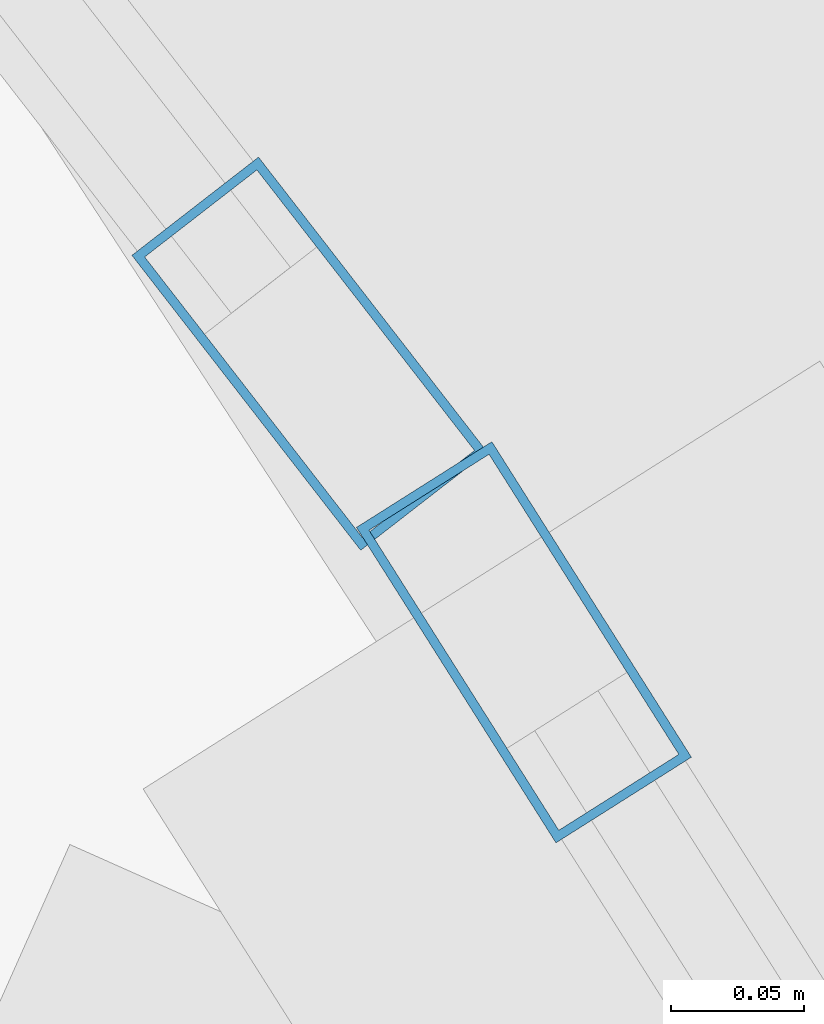
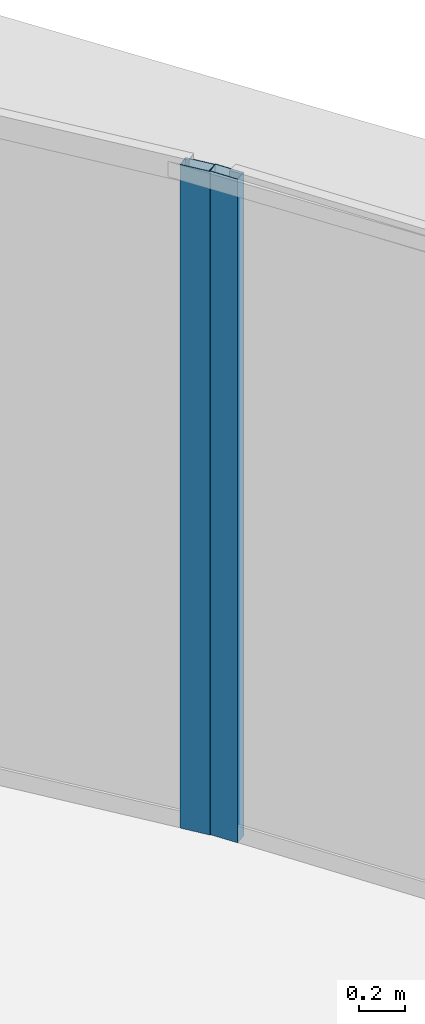
# One storey, part 24 of 33: 2 members, 2 elements without a shape of their own.
"""IFC4 building model written with IfcOpenShell, lengths in metres."""

import ifcopenshell
import ifcopenshell.guid

model = None  # the IFC model being written
_history = None  # IfcOwnerHistory: only IFC2X3 demands one
_inside = {}  # id of a spatial element -> (the spatial element, [elements in it])
_under = {}  # id of a project, library or spatial element -> (it, [spatial elements below it])
_declared = {}  # id of a project -> (the project, [libraries it declares])
_typed = {}  # id of a type object -> (the type object, [elements of that type])
_made_of = {}  # id of a material, layer set ... -> (it, [elements and type objects made of it])


def new_model(schema):
    """Start an empty IFC model of exactly this schema.

    Asked for "IFC4X3", IfcOpenShell would pick the latest addendum, in which some entities
    have other attributes; the version numbers below select the first issue.
    IFC2X3 requires an IfcOwnerHistory on every rooted entity: one is made here for all.
    """
    global model, _history
    if schema == "IFC4X3":
        model = ifcopenshell.file(schema_version=(4, 3, 0, 0))
    else:
        model = ifcopenshell.file(schema=schema)
    _inside.clear()
    _under.clear()
    _declared.clear()
    _typed.clear()
    _made_of.clear()
    _history = None
    if model.schema == "IFC2X3":
        org = make("IfcOrganization", Name="unknown")
        user = make(
            "IfcPersonAndOrganization",
            ThePerson=make("IfcPerson", FamilyName="unknown"),
            TheOrganization=org,
        )
        app = make(
            "IfcApplication",
            ApplicationDeveloper=org,
            Version="unknown",
            ApplicationFullName="unknown",
            ApplicationIdentifier="unknown",
        )
        _history = make(
            "IfcOwnerHistory",
            OwningUser=user,
            OwningApplication=app,
            ChangeAction="ADDED",
            CreationDate=0,
        )
    return model


def make(cls, **values):
    """One entity of the class cls with the attributes given. An attribute that is None is left unset."""
    return model.create_entity(
        cls, **{name: value for name, value in values.items() if value is not None}
    )


def rooted(cls, **values):
    """An entity with a GlobalId (a new one), such as an element, a storey or a relation."""
    return make(cls, GlobalId=ifcopenshell.guid.new(), OwnerHistory=_history, **values)


def si_unit(unit_type, name, prefix=None):
    """IfcSIUnit, for example si_unit("LENGTHUNIT", "METRE", prefix="MILLI")."""
    return make("IfcSIUnit", UnitType=unit_type, Prefix=prefix, Name=name)


def assignment(units):
    """IfcUnitAssignment: the units of a project."""
    return None if units is None else make("IfcUnitAssignment", Units=units)


def point(xyz):
    """IfcCartesianPoint."""
    return None if xyz is None else make("IfcCartesianPoint", Coordinates=xyz)


def direction(xyz):
    """IfcDirection."""
    return None if xyz is None else make("IfcDirection", DirectionRatios=xyz)


def frame(location, z_axis=None, x_axis=None):
    """IfcAxis2Placement3D, a coordinate frame: its origin and axes. An axis left out is left unset."""
    return make(
        "IfcAxis2Placement3D",
        Location=point(location),
        Axis=direction(z_axis),
        RefDirection=direction(x_axis),
    )


def frame_2d(location, x_axis=None):
    """IfcAxis2Placement2D, a coordinate frame in the plane: its origin and x axis."""
    return make(
        "IfcAxis2Placement2D", Location=point(location), RefDirection=direction(x_axis)
    )


def origin():
    """The frame at (0, 0, 0) with its axes left unset."""
    return frame((0.0, 0.0, 0.0))


def origin_2d():
    """The frame at (0, 0) in the plane with its x axis left unset."""
    return frame_2d((0.0, 0.0))


def place(relative_to, where):
    """IfcLocalPlacement: puts the frame where relative to a parent placement (None: the world)."""
    return make(
        "IfcLocalPlacement", PlacementRelTo=relative_to, RelativePlacement=where
    )


def context(
    kind, dimensions, precision=None, world=None, true_north=None, identifier=None
):
    """IfcGeometricRepresentationContext, for example the 3D "Model" context."""
    return make(
        "IfcGeometricRepresentationContext",
        ContextIdentifier=identifier,
        ContextType=kind,
        CoordinateSpaceDimension=dimensions,
        Precision=precision,
        WorldCoordinateSystem=world,
        TrueNorth=true_north,
    )


def subcontext(parent, identifier, kind, view, scale=None):
    """IfcGeometricRepresentationSubContext, for example "Body" below "Model"."""
    return make(
        "IfcGeometricRepresentationSubContext",
        ContextIdentifier=identifier,
        ContextType=kind,
        ParentContext=parent,
        TargetScale=scale,
        TargetView=view,
    )


def project(units=None, contexts=None):
    """IfcProject with its units and contexts."""
    return rooted(
        "IfcProject",
        Name="project",
        RepresentationContexts=contexts,
        UnitsInContext=assignment(units),
    )


def spatial(cls, under=None, at=None, **own):
    """A site, building, storey or space (cls), placed at a placement, below another one or the project."""
    s = rooted(cls, ObjectPlacement=at, **own)
    if under is not None:
        _under.setdefault(under.id(), (under, []))[1].append(s)
    return s


def profile(cls, at=None, kind="AREA", **sizes):
    """A parametric profile (cls). Its sizes go by their IFC names, for example OverallWidth=200.0."""
    return make(cls, ProfileType=kind, Position=at, **sizes)


def hollow_rectangle(**sizes):
    """IfcRectangleHollowProfileDef."""
    return profile("IfcRectangleHollowProfileDef", **sizes)


def extrude(swept, where, along, depth):
    """IfcExtrudedAreaSolid: the profile swept, set in the frame where, extruded along a direction by depth."""
    return make(
        "IfcExtrudedAreaSolid",
        SweptArea=swept,
        Position=where,
        ExtrudedDirection=direction(along),
        Depth=depth,
    )


def shape(context_of_items, identifier, shape_type, items):
    """IfcShapeRepresentation: the items that make up one representation, for example the "Body"."""
    return make(
        "IfcShapeRepresentation",
        ContextOfItems=context_of_items,
        RepresentationIdentifier=identifier,
        RepresentationType=shape_type,
        Items=items,
    )


def source(mapping_origin, context_of_items, identifier, shape_type, items):
    """IfcRepresentationMap: a shape defined once, which mapped items show again and again."""
    return make(
        "IfcRepresentationMap",
        MappingOrigin=mapping_origin,
        MappedRepresentation=shape(context_of_items, identifier, shape_type, items),
    )


def transform(
    local_origin,
    x_axis=None,
    y_axis=None,
    z_axis=None,
    scale=None,
    scale2=None,
    scale3=None,
    uniform=True,
):
    """IfcCartesianTransformationOperator3D, or its non-uniform kind. x_axis, y_axis, z_axis: its Axis1, 2, 3."""
    if uniform:
        return make(
            "IfcCartesianTransformationOperator3D",
            Axis1=direction(x_axis),
            Axis2=direction(y_axis),
            LocalOrigin=point(local_origin),
            Scale=scale,
            Axis3=direction(z_axis),
        )
    return make(
        "IfcCartesianTransformationOperator3DnonUniform",
        Axis1=direction(x_axis),
        Axis2=direction(y_axis),
        LocalOrigin=point(local_origin),
        Scale=scale,
        Axis3=direction(z_axis),
        Scale2=scale2,
        Scale3=scale3,
    )


def mapped(mapping_source, mapping_target):
    """IfcMappedItem: shows the shape of a source again, moved by a transform."""
    return make(
        "IfcMappedItem", MappingSource=mapping_source, MappingTarget=mapping_target
    )


def material(Name=None, Category=None):
    """IfcMaterial."""
    return make("IfcMaterial", Name=Name, Category=Category)


def layer(
    of_material, thickness, ventilated=None, Name=None, Category=None, Priority=None
):
    """IfcMaterialLayer: one layer of a wall or slab, of a material (None: an air gap)."""
    return make(
        "IfcMaterialLayer",
        Material=of_material,
        LayerThickness=thickness,
        IsVentilated=ventilated,
        Name=Name,
        Category=Category,
        Priority=Priority,
    )


def layer_set(layers, Name=None):
    """IfcMaterialLayerSet."""
    return make("IfcMaterialLayerSet", MaterialLayers=layers, LayerSetName=Name)


def material_profile(
    of_material, cross_section, Name=None, Category=None, Priority=None
):
    """IfcMaterialProfile: a cross section and its material."""
    return make(
        "IfcMaterialProfile",
        Name=Name,
        Material=of_material,
        Profile=cross_section,
        Priority=Priority,
        Category=Category,
    )


def profile_set(profiles, Name=None, composite=None):
    """IfcMaterialProfileSet."""
    return make(
        "IfcMaterialProfileSet",
        Name=Name,
        MaterialProfiles=profiles,
        CompositeProfile=composite,
    )


def made_of(thing, what):
    """Note that an element or type object is made of a material, layer set ...; save() writes the relation."""
    if what is not None:
        _made_of.setdefault(what.id(), (what, []))[1].append(thing)
    return thing


def type_object(cls, material=None, **own):
    """A type object (cls), such as IfcWallType, which elements share."""
    return made_of(rooted(cls, **own), material)


def element(
    cls,
    number,
    at=None,
    inside=None,
    cuts=None,
    type_object=None,
    material=None,
    context=None,
    identifier="Body",
    shape_type=None,
    held_by="IfcProductDefinitionShape",
    body=None,
    shapes=None,
    **own,
):
    """One element of the class cls, such as IfcWall. Its Tag is "e" and its number.

    at: its placement. inside: the storey or other place that contains it. cuts: it is an
    opening in that element (IfcRelVoidsElement). A single representation is given by context,
    identifier, shape_type and body (its items); several are given by shapes. held_by: the class
    of the entity that holds the representations. save() writes the other relations.
    """
    e = rooted(cls, Tag="e%d" % number, ObjectPlacement=at, **own)
    if body is not None:
        shapes = [shape(context, identifier, shape_type, body)]
    if shapes is not None:
        e.Representation = make(held_by, Representations=shapes)
    if inside is not None:
        _inside.setdefault(inside.id(), (inside, []))[1].append(e)
    if cuts is not None:
        rooted(
            "IfcRelVoidsElement", RelatingBuildingElement=cuts, RelatedOpeningElement=e
        )
    if type_object is not None:
        _typed.setdefault(type_object.id(), (type_object, []))[1].append(e)
    return made_of(e, material)


def aggregate(whole, parts):
    """IfcRelAggregates: a whole, such as a stair, and the parts it consists of."""
    return rooted("IfcRelAggregates", RelatingObject=whole, RelatedObjects=parts)


def save(model, path):
    """Write the relations noted so far, then the file.

    IfcRelAggregates (storeys below a building ...), IfcRelContainedInSpatialStructure (elements
    in a storey), IfcRelDefinesByType, IfcRelAssociatesMaterial and IfcRelDeclares: one each for
    every whole, place, type object, material and project.
    """
    for whole, parts in _under.values():
        aggregate(whole, parts)
    for where, things in _inside.values():
        rooted(
            "IfcRelContainedInSpatialStructure",
            RelatedElements=things,
            RelatingStructure=where,
        )
    for kind, things in _typed.values():
        rooted("IfcRelDefinesByType", RelatedObjects=things, RelatingType=kind)
    for what, things in _made_of.values():
        rooted("IfcRelAssociatesMaterial", RelatedObjects=things, RelatingMaterial=what)
    for by, libraries in _declared.values():
        rooted("IfcRelDeclares", RelatingContext=by, RelatedDefinitions=libraries)
    model.write(path)


model = new_model("IFC4")

# Units and contexts
model_context = context("Model", 3, precision=1e-05, world=origin(), true_north=direction((0.0, 1.0)))
body_context = subcontext(model_context, "Body", "Model", "MODEL_VIEW")
ifc_project = project(units=[si_unit("LENGTHUNIT", "METRE"), si_unit("AREAUNIT", "SQUARE_METRE"), si_unit("VOLUMEUNIT", "CUBIC_METRE"), si_unit("PLANEANGLEUNIT", "RADIAN"), si_unit("MASSUNIT", "GRAM", prefix="KILO"), si_unit("THERMODYNAMICTEMPERATUREUNIT", "KELVIN"), si_unit("POWERUNIT", "WATT")], contexts=[model_context])

# Site, building, storey
site_placement = place(None, origin())
site = spatial("IfcSite", under=ifc_project, at=site_placement, CompositionType="ELEMENT")
building_placement = place(site_placement, origin())
building = spatial("IfcBuilding", under=site, at=building_placement, Name="Yunzhuo Pagoda Commons", CompositionType="ELEMENT")
storey_placement = place(building_placement, frame((0.0, 0.0, 325.510009765625)))
storey = spatial("IfcBuildingStorey", under=building, at=storey_placement, Name="L81", CompositionType="ELEMENT", Elevation=325.510009765625)

# Curtain wall, member
ifc_material = material(Name="Anodized aluminium 6063-T6", Category="aluminium")
ifc_layer = layer(ifc_material, 0.139892578125)
ifc_layer_set = layer_set([ifc_layer], Name="Anodized aluminium 6063-T6")
curtain_wall_type = type_object("IfcCurtainWallType", Name="CW-HI High-Zone Ribbon Curtain Wall", PredefinedType="NOTDEFINED", material=ifc_layer_set)
curtain_wall_1_placement = place(storey_placement, origin())
curtain_wall_1 = element("IfcCurtainWall", 1, at=curtain_wall_1_placement, inside=storey, type_object=curtain_wall_type, Name="L81 curtain wall CW-L81-F2B4", PredefinedType="NOTDEFINED")
ifc_material_profile = material_profile(ifc_material, hollow_rectangle(XDim=0.06005859375, YDim=0.139892578125, WallThickness=0.00341796875, at=origin_2d()), Name="Anodized aluminium 6063-T6")
ifc_profile_set = profile_set([ifc_material_profile], Name="Anodized aluminium 6063-T6")
member_type = type_object("IfcMemberType", Name="CW-HI-M Mullion RHS 140x60x3.5", PredefinedType="MULLION", material=ifc_profile_set)
shared_shape = source(origin(), body_context, "Body", "SweptSolid", [
    extrude(hollow_rectangle(XDim=0.06005859375, YDim=0.139892578125, WallThickness=0.00341796875, at=origin_2d()), origin(), (0.0, 0.0, 1.0), 3.489990234375),
])
member_1_placement = place(storey_placement, frame((60.234130859375, 61.117431640625, 0.0), z_axis=(0.0, 0.0, 1.0), x_axis=(-0.845148830397, -0.534531060349, 0.0)))
member_1 = element("IfcMember", 2, at=member_1_placement, type_object=member_type, Name="CW mullion 2", PredefinedType="MULLION", context=body_context, shape_type="MappedRepresentation", body=[
    mapped(shared_shape, transform((0.0, 0.0, 0.0), scale=1.0)),
])
aggregate(curtain_wall_1, [member_1])

curtain_wall_2_placement = place(storey_placement, origin())
curtain_wall_2 = element("IfcCurtainWall", 3, at=curtain_wall_2_placement, inside=storey, type_object=curtain_wall_type, Name="L81 curtain wall CW-L81-F2B5", PredefinedType="NOTDEFINED")
member_2_placement = place(storey_placement, frame((60.15380859375, 61.2255859375, 0.0), z_axis=(0.0, 0.0, 1.0), x_axis=(-0.790146906982, -0.612917502921, 0.0)))
member_2 = element("IfcMember", 4, at=member_2_placement, type_object=member_type, Name="CW mullion 1", PredefinedType="MULLION", context=body_context, shape_type="MappedRepresentation", body=[
    mapped(shared_shape, transform((0.0, 0.0, 0.0), scale=1.0)),
])
aggregate(curtain_wall_2, [member_2])

save(model, "model.ifc")
